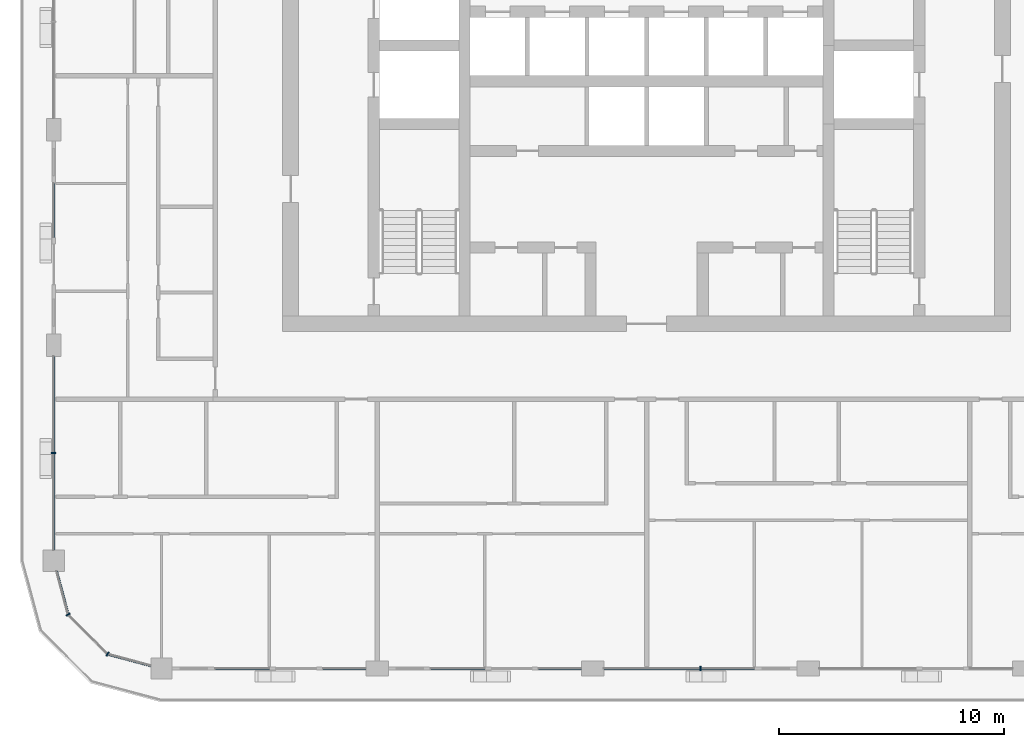
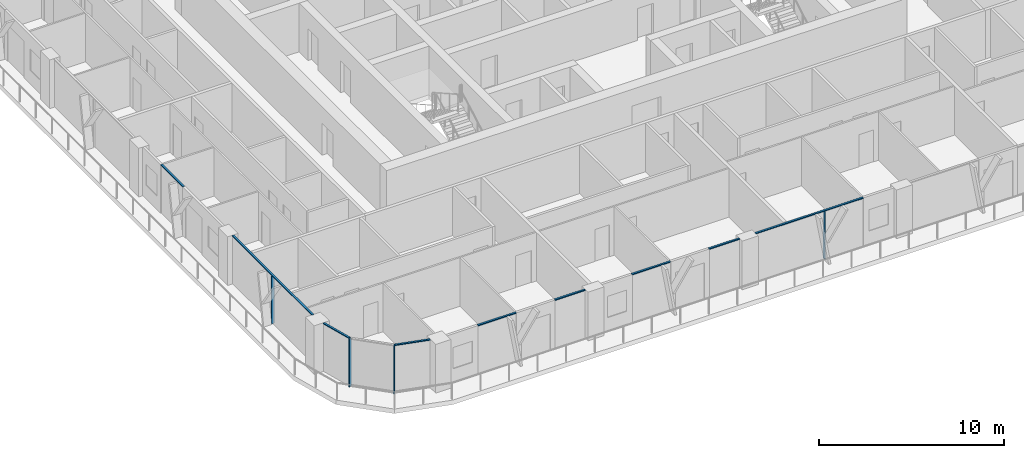
# One storey, part 2 of 22: 13 members, 6 elements without a shape of their own.
"""IFC4 building model written with IfcOpenShell, lengths in metres."""

from ifc_helpers import new_model, si_unit, direction, frame, origin, origin_2d, place, context, subcontext, project, spatial, rectangle, extrude, material, layer, layer_set, material_profile, profile_set, type_object, element, aggregate, save


model = new_model("IFC4")

# Units and contexts
model_context = context("Model", 3, precision=1e-05, world=origin(), true_north=direction((0.0, 1.0)))
body_context = subcontext(model_context, "Body", "Model", "MODEL_VIEW")
ifc_project = project(units=[si_unit("LENGTHUNIT", "METRE"), si_unit("AREAUNIT", "SQUARE_METRE"), si_unit("VOLUMEUNIT", "CUBIC_METRE"), si_unit("PLANEANGLEUNIT", "RADIAN"), si_unit("MASSUNIT", "GRAM", prefix="KILO")], contexts=[model_context])

# Site, building, storey
site_placement = place(None, origin())
site = spatial("IfcSite", under=ifc_project, at=site_placement, CompositionType="ELEMENT")
building_placement = place(site_placement, origin())
building = spatial("IfcBuilding", under=site, at=building_placement, Name="Madar Terraces", CompositionType="ELEMENT")
storey_placement = place(building_placement, frame((0.0, 0.0, 192.89990234375)))
storey = spatial("IfcBuildingStorey", under=building, at=storey_placement, Name="L50", CompositionType="ELEMENT", Elevation=192.89990234375)

# Curtain wall, member
ifc_material_1 = material(Name="Glass, ceramic frit dark grey, with black aluminium frame", Category="aluminium")
ifc_layer = layer(ifc_material_1, 0.199951171875)
ifc_layer_set = layer_set([ifc_layer], Name="Facade curtain wall, fritted glass")
curtain_wall_type = type_object("IfcCurtainWallType", Name="Facade curtain wall, fritted glass", PredefinedType="NOTDEFINED", material=ifc_layer_set)
curtain_wall_1_placement = place(storey_placement, origin())
curtain_wall_1 = element("IfcCurtainWall", 1, at=curtain_wall_1_placement, inside=storey, type_object=curtain_wall_type, Name="Outer skin curtain wall south bay 3", PredefinedType="NOTDEFINED")
ifc_material_2 = material(Name="Aluminium, black anodised", Category="aluminium")
ifc_material_profile_1 = material_profile(ifc_material_2, rectangle(XDim=0.199951171875, YDim=0.06005859375, at=origin_2d()), Name="Facade mullion 60x200")
ifc_profile_set_1 = profile_set([ifc_material_profile_1], Name="Aluminium, black anodised")
member_type_1 = type_object("IfcMemberType", Name="Facade mullion 60x200", PredefinedType="MULLION", material=ifc_profile_set_1)
member_1_placement = place(storey_placement, frame((33.60009765625, 0.0, 0.0), z_axis=(0.0, 0.0, 1.0), x_axis=(0.0, 1.0, 0.0)))
member_1 = element("IfcMember", 2, at=member_1_placement, type_object=member_type_1, Name="Mullion 1", PredefinedType="MULLION", context=body_context, shape_type="SweptSolid", body=[
    extrude(rectangle(XDim=0.199951171875, YDim=0.06005859375, at=origin_2d()), origin(), (0.0, 0.0, 1.0), 3.14013671875),
])

curtain_wall_2_placement = place(storey_placement, origin())
curtain_wall_2 = element("IfcCurtainWall", 3, at=curtain_wall_2_placement, inside=storey, type_object=curtain_wall_type, Name="Outer skin curtain wall west bay 4", PredefinedType="NOTDEFINED")
member_2_placement = place(storey_placement, frame((4.800048828125, 9.60009765625, 0.0), z_axis=(0.0, 0.0, 1.0), x_axis=(1.0, 0.0, 0.0)))
member_2 = element("IfcMember", 4, at=member_2_placement, type_object=member_type_1, Name="Mullion 1", PredefinedType="MULLION", context=body_context, shape_type="SweptSolid", body=[
    extrude(rectangle(XDim=0.199951171875, YDim=0.06005859375, at=origin_2d()), origin(), (0.0, 0.0, 1.0), 3.14013671875),
])

# Curtain wall, members
curtain_wall_3_placement = place(storey_placement, origin())
curtain_wall_3 = element("IfcCurtainWall", 5, at=curtain_wall_3_placement, inside=storey, type_object=curtain_wall_type, Name="Outer skin curtain wall south-west corner", PredefinedType="NOTDEFINED")
member_3_placement = place(storey_placement, frame((5.443115234375, 2.39990234375, 0.0), z_axis=(0.0, 0.0, 1.0), x_axis=(0.866025409797, 0.499999989586, 0.0)))
member_3 = element("IfcMember", 6, at=member_3_placement, type_object=member_type_1, Name="Mullion 1", PredefinedType="MULLION", context=body_context, shape_type="SweptSolid", body=[
    extrude(rectangle(XDim=0.199951171875, YDim=0.06005859375, at=origin_2d()), origin(), (0.0, 0.0, 1.0), 3.14013671875),
])
member_4_placement = place(storey_placement, frame((7.199951171875, 0.64306640625, 0.0), z_axis=(0.0, 0.0, 1.0), x_axis=(0.499999989586, 0.866025409797, 0.0)))
member_4 = element("IfcMember", 7, at=member_4_placement, type_object=member_type_1, Name="Mullion 2", PredefinedType="MULLION", context=body_context, shape_type="SweptSolid", body=[
    extrude(rectangle(XDim=0.199951171875, YDim=0.06005859375, at=origin_2d()), origin(), (0.0, 0.0, 1.0), 3.14013671875),
])

curtain_wall_4_placement = place(storey_placement, origin())
curtain_wall_4 = element("IfcCurtainWall", 8, at=curtain_wall_4_placement, inside=storey, type_object=curtain_wall_type, Name="Outer skin curtain wall south bay 1", PredefinedType="NOTDEFINED")
ifc_material_3 = material(Name="Aluminium, black anodised", Category="aluminium")
ifc_material_profile_2 = material_profile(ifc_material_3, rectangle(XDim=0.1201171875, YDim=0.06005859375, at=origin_2d()), Name="Facade transom 60x120")
ifc_profile_set_2 = profile_set([ifc_material_profile_2], Name="Aluminium, black anodised")
member_type_2 = type_object("IfcMemberType", Name="Facade transom 60x120", PredefinedType="USERDEFINED", material=ifc_profile_set_2)
member_5_placement = place(storey_placement, frame((12.0, 0.0, 3.170166015625), z_axis=(1.0, 0.0, 0.0), x_axis=(0.0, 1.0, 0.0)))
member_5 = element("IfcMember", 9, at=member_5_placement, type_object=member_type_2, Name="Transom 1", ObjectType="TRANSOM", PredefinedType="USERDEFINED", context=body_context, shape_type="SweptSolid", body=[
    extrude(rectangle(XDim=0.1201171875, YDim=0.06005859375, at=origin_2d()), origin(), (0.0, 0.0, 1.0), 2.39990234375),
])
member_6_placement = place(storey_placement, frame((16.800048828125, 0.0, 3.170166015625), z_axis=(1.0, 0.0, 0.0), x_axis=(0.0, 1.0, 0.0)))
member_6 = element("IfcMember", 10, at=member_6_placement, type_object=member_type_2, Name="Transom 2", ObjectType="TRANSOM", PredefinedType="USERDEFINED", context=body_context, shape_type="SweptSolid", body=[
    extrude(rectangle(XDim=0.1201171875, YDim=0.06005859375, at=origin_2d()), origin(), (0.0, 0.0, 1.0), 1.89990234375),
])
aggregate(curtain_wall_4, [member_5, member_6])

curtain_wall_5_placement = place(storey_placement, origin())
curtain_wall_5 = element("IfcCurtainWall", 11, at=curtain_wall_5_placement, inside=storey, type_object=curtain_wall_type, Name="Outer skin curtain wall south bay 2", PredefinedType="NOTDEFINED")
member_7_placement = place(storey_placement, frame((21.60009765625, 0.0, 3.170166015625), z_axis=(1.0, 0.0, 0.0), x_axis=(0.0, 1.0, 0.0)))
member_7 = element("IfcMember", 12, at=member_7_placement, type_object=member_type_2, Name="Transom 1", ObjectType="TRANSOM", PredefinedType="USERDEFINED", context=body_context, shape_type="SweptSolid", body=[
    extrude(rectangle(XDim=0.1201171875, YDim=0.06005859375, at=origin_2d()), origin(), (0.0, 0.0, 1.0), 2.39990234375),
])
member_8_placement = place(storey_placement, frame((26.39990234375, 0.0, 3.170166015625), z_axis=(1.0, 0.0, 0.0), x_axis=(0.0, 1.0, 0.0)))
member_8 = element("IfcMember", 13, at=member_8_placement, type_object=member_type_2, Name="Transom 2", ObjectType="TRANSOM", PredefinedType="USERDEFINED", context=body_context, shape_type="SweptSolid", body=[
    extrude(rectangle(XDim=0.1201171875, YDim=0.06005859375, at=origin_2d()), origin(), (0.0, 0.0, 1.0), 1.900146484375),
])
aggregate(curtain_wall_5, [member_7, member_8])

# Member
member_9_placement = place(storey_placement, frame((29.300048828125, 0.0, 3.170166015625), z_axis=(1.0, 0.0, 0.0), x_axis=(0.0, 1.0, 0.0)))
member_9 = element("IfcMember", 14, at=member_9_placement, type_object=member_type_2, Name="Transom 1", ObjectType="TRANSOM", PredefinedType="USERDEFINED", context=body_context, shape_type="SweptSolid", body=[
    extrude(rectangle(XDim=0.1201171875, YDim=0.06005859375, at=origin_2d()), origin(), (0.0, 0.0, 1.0), 6.699951171875),
])

aggregate(curtain_wall_1, [member_1, member_9])

# Curtain wall, member
curtain_wall_6_placement = place(storey_placement, origin())
curtain_wall_6 = element("IfcCurtainWall", 15, at=curtain_wall_6_placement, inside=storey, type_object=curtain_wall_type, Name="Outer skin curtain wall west bay 3", PredefinedType="NOTDEFINED")
member_10_placement = place(storey_placement, frame((4.800048828125, 21.60009765625, 3.170166015625), z_axis=(0.0, -1.0, 0.0), x_axis=(1.0, 0.0, 0.0)))
member_10 = element("IfcMember", 16, at=member_10_placement, type_object=member_type_2, Name="Transom 1", ObjectType="TRANSOM", PredefinedType="USERDEFINED", context=body_context, shape_type="SweptSolid", body=[
    extrude(rectangle(XDim=0.1201171875, YDim=0.06005859375, at=origin_2d()), origin(), (0.0, 0.0, 1.0), 2.400146484375),
])
aggregate(curtain_wall_6, [member_10])

# Member
member_11_placement = place(storey_placement, frame((4.800048828125, 13.89990234375, 3.170166015625), z_axis=(0.0, -1.0, 0.0), x_axis=(1.0, 0.0, 0.0)))
member_11 = element("IfcMember", 17, at=member_11_placement, type_object=member_type_2, Name="Transom 1", ObjectType="TRANSOM", PredefinedType="USERDEFINED", context=body_context, shape_type="SweptSolid", body=[
    extrude(rectangle(XDim=0.1201171875, YDim=0.06005859375, at=origin_2d()), origin(), (0.0, 0.0, 1.0), 8.625),
])

aggregate(curtain_wall_2, [member_2, member_11])

member_12_placement = place(storey_placement, frame((4.92724609375, 4.324951171875, 3.170166015625), z_axis=(0.258831412352, -0.96592251241, 0.0), x_axis=(0.96592251241, 0.258831412352, 0.0)))
member_12 = element("IfcMember", 18, at=member_12_placement, type_object=member_type_2, Name="Transom 1", ObjectType="TRANSOM", PredefinedType="USERDEFINED", context=body_context, shape_type="SweptSolid", body=[
    extrude(rectangle(XDim=0.1201171875, YDim=0.06005859375, at=origin_2d()), origin(), (0.0, 0.0, 1.0), 1.962890625),
])

member_13_placement = place(storey_placement, frame((7.22900390625, 0.63525390625, 3.170166015625), z_axis=(0.96592251241, -0.258831412352, 0.0), x_axis=(0.258831412352, 0.96592251241, 0.0)))
member_13 = element("IfcMember", 19, at=member_13_placement, type_object=member_type_2, Name="Transom 3", ObjectType="TRANSOM", PredefinedType="USERDEFINED", context=body_context, shape_type="SweptSolid", body=[
    extrude(rectangle(XDim=0.1201171875, YDim=0.06005859375, at=origin_2d()), origin(), (0.0, 0.0, 1.0), 1.962890625),
])

aggregate(curtain_wall_3, [member_3, member_12, member_4, member_13])

save(model, "model.ifc")
